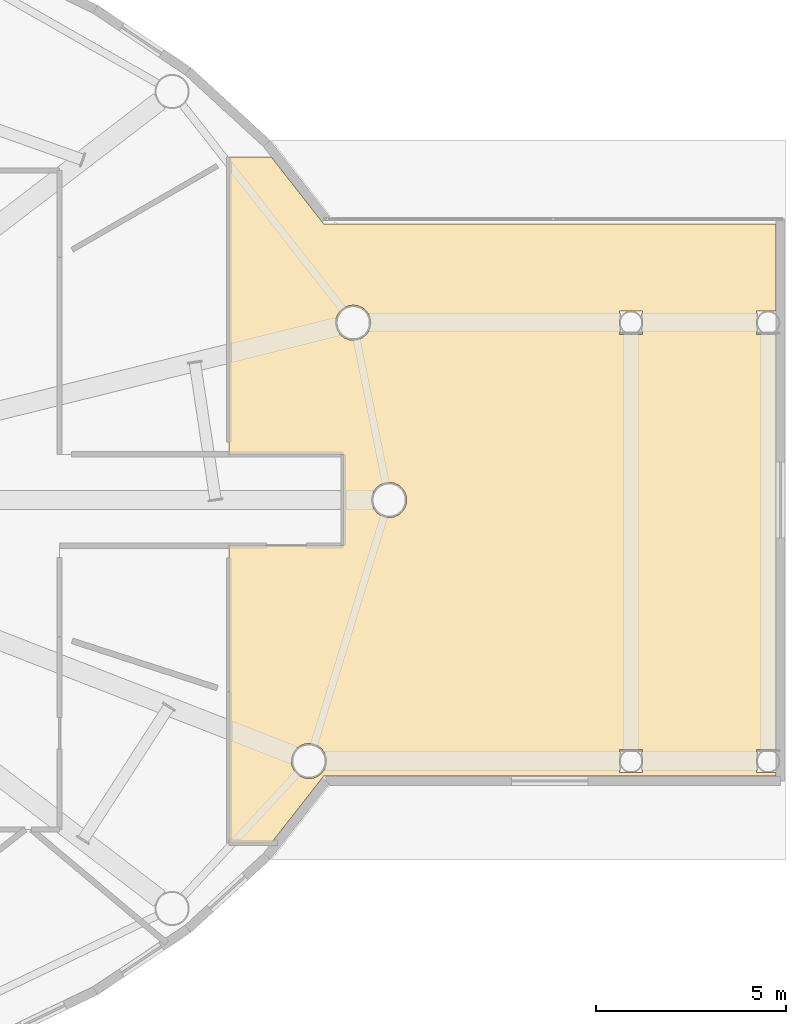
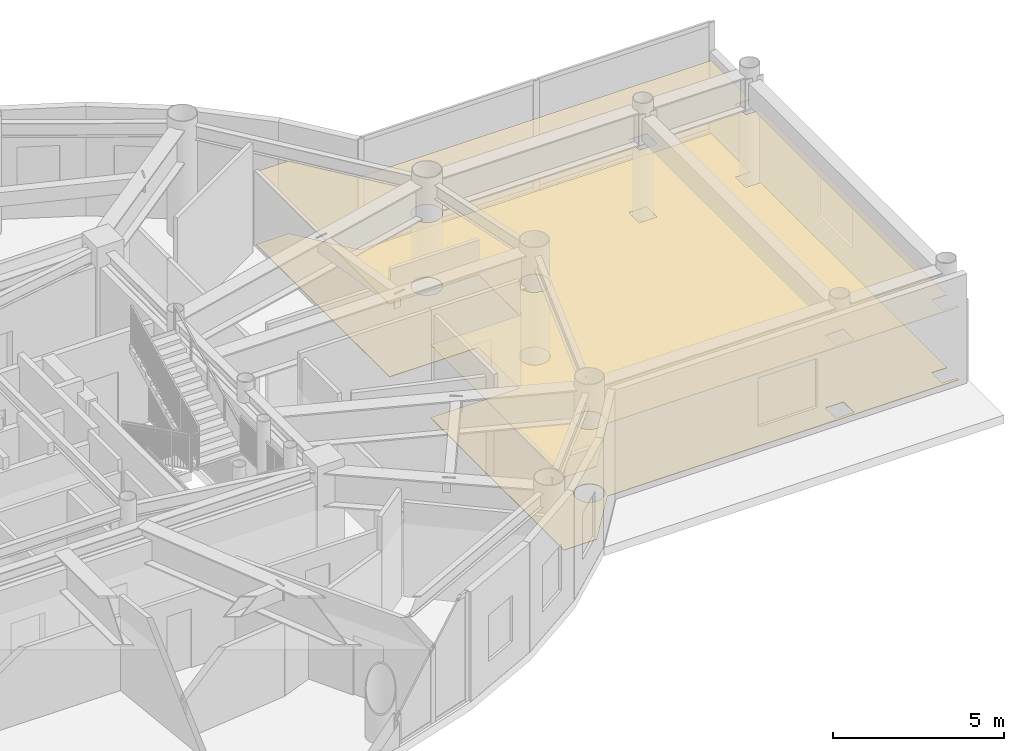
# One storey, part 26 of 26: 2 coverings.
"""IFC4 building model written with IfcOpenShell, lengths in metres."""

from ifc_helpers import new_model, si_unit, direction, frame, origin, place, context, subcontext, project, spatial, polyline, outline, extrude, material, layer, layer_set, type_object, element, save


model = new_model("IFC4")

# Units and contexts
model_context = context("Model", 3, precision=1e-05, world=origin(), true_north=direction((0.0, 1.0)))
body_context = subcontext(model_context, "Body", "Model", "MODEL_VIEW")
ifc_project = project(units=[si_unit("LENGTHUNIT", "METRE"), si_unit("AREAUNIT", "SQUARE_METRE"), si_unit("VOLUMEUNIT", "CUBIC_METRE"), si_unit("PLANEANGLEUNIT", "RADIAN"), si_unit("MASSUNIT", "GRAM", prefix="KILO")], contexts=[model_context])

# Site, building, storey
site_placement = place(None, origin())
site = spatial("IfcSite", under=ifc_project, at=site_placement, CompositionType="ELEMENT")
building_placement = place(site_placement, origin())
building = spatial("IfcBuilding", under=site, at=building_placement, Name="Linh Dai School and Residence Tower", CompositionType="ELEMENT")
storey_placement = place(building_placement, frame((0.0, 0.0, 346.800048828125)))
storey = spatial("IfcBuildingStorey", under=building, at=storey_placement, Name="L86", CompositionType="ELEMENT", Elevation=346.800048828125)

# Coverings
ifc_material_1 = material(Name="Mineral Fibre Acoustic Suspended Ceiling", Category="masonry")
ifc_layer_1 = layer(ifc_material_1, 0.02001953125)
ifc_layer_set_1 = layer_set([ifc_layer_1], Name="Mineral Fibre Acoustic Suspended Ceiling")
covering_type_1 = type_object("IfcCoveringType", Name="COV-CEIL-AC-20", PredefinedType="CEILING", material=ifc_layer_set_1)
covering_1_placement = place(storey_placement, frame((0.0, 0.0, 2.599853515625)))
element("IfcCovering", 1, at=covering_1_placement, inside=storey, type_object=covering_type_1, Name="L86 Cantilevered Horizon Sky Dining Hall Suspended Ceiling", PredefinedType="CEILING", context=body_context, shape_type="SweptSolid", body=[
    extrude(outline(polyline([(65.85009765625, 34.25), (65.85009765625, 31.959716796875), (65.344970703125, 31.959716796875), (65.344970703125, 31.349609375), (65.85009765625, 31.349609375), (65.85009765625, 20.452392578125), (65.344970703125, 20.452392578125), (65.344970703125, 19.842529296875), (65.85009765625, 19.842529296875), (65.85009765625, 19.75), (53.979736328125, 19.75), (52.6103515625, 18.0), (51.5, 18.0), (51.5, 25.800048828125), (54.5, 25.800048828125), (54.5, 28.199951171875), (51.5, 28.199951171875), (51.5, 36.0), (52.6103515625, 36.0), (53.979736328125, 34.25), (65.85009765625, 34.25)]), holes=[polyline([(61.7451171875, 20.452392578125), (61.7451171875, 19.842529296875), (62.35498046875, 19.842529296875), (62.35498046875, 20.452392578125), (61.7451171875, 20.452392578125)]), polyline([(61.7451171875, 31.959716796875), (61.7451171875, 31.349609375), (62.35498046875, 31.349609375), (62.35498046875, 31.959716796875), (61.7451171875, 31.959716796875)]), polyline([(56.10009765625, 26.76904296875), (56.146240234375, 26.88037109375), (56.162109375, 27.0), (56.146240234375, 27.11962890625), (56.10009765625, 27.23095703125), (56.026611328125, 27.32666015625), (55.930908203125, 27.400146484375), (55.819580078125, 27.4462890625), (55.699951171875, 27.4619140625), (55.580322265625, 27.4462890625), (55.468994140625, 27.400146484375), (55.373291015625, 27.32666015625), (55.2998046875, 27.23095703125), (55.253662109375, 27.11962890625), (55.238037109375, 27.0), (55.253662109375, 26.88037109375), (55.2998046875, 26.76904296875), (55.373291015625, 26.67333984375), (55.468994140625, 26.599853515625), (55.580322265625, 26.5537109375), (55.699951171875, 26.5380859375), (55.819580078125, 26.5537109375), (55.930908203125, 26.599853515625), (56.026611328125, 26.67333984375), (56.10009765625, 26.76904296875)]), polyline([(55.15771484375, 31.423583984375), (55.2041015625, 31.53515625), (55.2197265625, 31.65478515625), (55.2041015625, 31.7744140625), (55.15771484375, 31.8857421875), (55.08447265625, 31.9814453125), (54.98876953125, 32.0546875), (54.877197265625, 32.10107421875), (54.7578125, 32.11669921875), (54.63818359375, 32.10107421875), (54.526611328125, 32.0546875), (54.430908203125, 31.9814453125), (54.357666015625, 31.8857421875), (54.3115234375, 31.7744140625), (54.295654296875, 31.65478515625), (54.3115234375, 31.53515625), (54.357666015625, 31.423583984375), (54.430908203125, 31.327880859375), (54.526611328125, 31.254638671875), (54.63818359375, 31.20849609375), (54.7578125, 31.192626953125), (54.877197265625, 31.20849609375), (54.98876953125, 31.254638671875), (55.08447265625, 31.327880859375), (55.15771484375, 31.423583984375)]), polyline([(54.041259765625, 20.02783203125), (54.05712890625, 20.1474609375), (54.041259765625, 20.26708984375), (53.9951171875, 20.37841796875), (53.921630859375, 20.47412109375), (53.826171875, 20.547607421875), (53.714599609375, 20.59375), (53.59521484375, 20.609619140625), (53.4755859375, 20.59375), (53.364013671875, 20.547607421875), (53.268310546875, 20.47412109375), (53.195068359375, 20.37841796875), (53.148681640625, 20.26708984375), (53.133056640625, 20.1474609375), (53.148681640625, 20.02783203125), (53.195068359375, 19.91650390625), (53.268310546875, 19.82080078125), (53.364013671875, 19.747314453125), (53.4755859375, 19.701171875), (53.59521484375, 19.685546875), (53.714599609375, 19.701171875), (53.826171875, 19.747314453125), (53.921630859375, 19.82080078125), (53.9951171875, 19.91650390625), (54.041259765625, 20.02783203125)])]), origin(), (0.0, 0.0, 1.0), 0.02001953125),
])
ifc_material_2 = material(Name="Polished Terrazzo Floor Finish", Category="masonry")
ifc_layer_2 = layer(ifc_material_2, 0.02490234375)
ifc_layer_set_2 = layer_set([ifc_layer_2], Name="Polished Terrazzo Floor Finish")
covering_type_2 = type_object("IfcCoveringType", Name="COV-FLR-TRZ-25", PredefinedType="FLOORING", material=ifc_layer_set_2)
covering_2_placement = place(storey_placement, origin())
element("IfcCovering", 2, at=covering_2_placement, inside=storey, type_object=covering_type_2, Name="L86 Cantilevered Horizon Sky Dining Hall Floor Finish", PredefinedType="FLOORING", context=body_context, shape_type="SweptSolid", body=[
    extrude(outline(polyline([(65.85009765625, 34.25), (65.85009765625, 31.959716796875), (65.344970703125, 31.959716796875), (65.344970703125, 31.349609375), (65.85009765625, 31.349609375), (65.85009765625, 20.452392578125), (65.344970703125, 20.452392578125), (65.344970703125, 19.842529296875), (65.85009765625, 19.842529296875), (65.85009765625, 19.75), (53.979736328125, 19.75), (52.6103515625, 18.0), (51.5, 18.0), (51.5, 25.800048828125), (54.5, 25.800048828125), (54.5, 28.199951171875), (51.5, 28.199951171875), (51.5, 36.0), (52.6103515625, 36.0), (53.979736328125, 34.25), (65.85009765625, 34.25)]), holes=[polyline([(61.7451171875, 20.452392578125), (61.7451171875, 19.842529296875), (62.35498046875, 19.842529296875), (62.35498046875, 20.452392578125), (61.7451171875, 20.452392578125)]), polyline([(61.7451171875, 31.959716796875), (61.7451171875, 31.349609375), (62.35498046875, 31.349609375), (62.35498046875, 31.959716796875), (61.7451171875, 31.959716796875)]), polyline([(56.10009765625, 26.76904296875), (56.146240234375, 26.88037109375), (56.162109375, 27.0), (56.146240234375, 27.11962890625), (56.10009765625, 27.23095703125), (56.026611328125, 27.32666015625), (55.930908203125, 27.400146484375), (55.819580078125, 27.4462890625), (55.699951171875, 27.4619140625), (55.580322265625, 27.4462890625), (55.468994140625, 27.400146484375), (55.373291015625, 27.32666015625), (55.2998046875, 27.23095703125), (55.253662109375, 27.11962890625), (55.238037109375, 27.0), (55.253662109375, 26.88037109375), (55.2998046875, 26.76904296875), (55.373291015625, 26.67333984375), (55.468994140625, 26.599853515625), (55.580322265625, 26.5537109375), (55.699951171875, 26.5380859375), (55.819580078125, 26.5537109375), (55.930908203125, 26.599853515625), (56.026611328125, 26.67333984375), (56.10009765625, 26.76904296875)]), polyline([(55.15771484375, 31.423583984375), (55.2041015625, 31.53515625), (55.2197265625, 31.65478515625), (55.2041015625, 31.7744140625), (55.15771484375, 31.8857421875), (55.08447265625, 31.9814453125), (54.98876953125, 32.0546875), (54.877197265625, 32.10107421875), (54.7578125, 32.11669921875), (54.63818359375, 32.10107421875), (54.526611328125, 32.0546875), (54.430908203125, 31.9814453125), (54.357666015625, 31.8857421875), (54.3115234375, 31.7744140625), (54.295654296875, 31.65478515625), (54.3115234375, 31.53515625), (54.357666015625, 31.423583984375), (54.430908203125, 31.327880859375), (54.526611328125, 31.254638671875), (54.63818359375, 31.20849609375), (54.7578125, 31.192626953125), (54.877197265625, 31.20849609375), (54.98876953125, 31.254638671875), (55.08447265625, 31.327880859375), (55.15771484375, 31.423583984375)]), polyline([(54.041259765625, 20.02783203125), (54.05712890625, 20.1474609375), (54.041259765625, 20.26708984375), (53.9951171875, 20.37841796875), (53.921630859375, 20.47412109375), (53.826171875, 20.547607421875), (53.714599609375, 20.59375), (53.59521484375, 20.609619140625), (53.4755859375, 20.59375), (53.364013671875, 20.547607421875), (53.268310546875, 20.47412109375), (53.195068359375, 20.37841796875), (53.148681640625, 20.26708984375), (53.133056640625, 20.1474609375), (53.148681640625, 20.02783203125), (53.195068359375, 19.91650390625), (53.268310546875, 19.82080078125), (53.364013671875, 19.747314453125), (53.4755859375, 19.701171875), (53.59521484375, 19.685546875), (53.714599609375, 19.701171875), (53.826171875, 19.747314453125), (53.921630859375, 19.82080078125), (53.9951171875, 19.91650390625), (54.041259765625, 20.02783203125)])]), origin(), (0.0, 0.0, 1.0), 0.02001953125),
])

save(model, "model.ifc")
